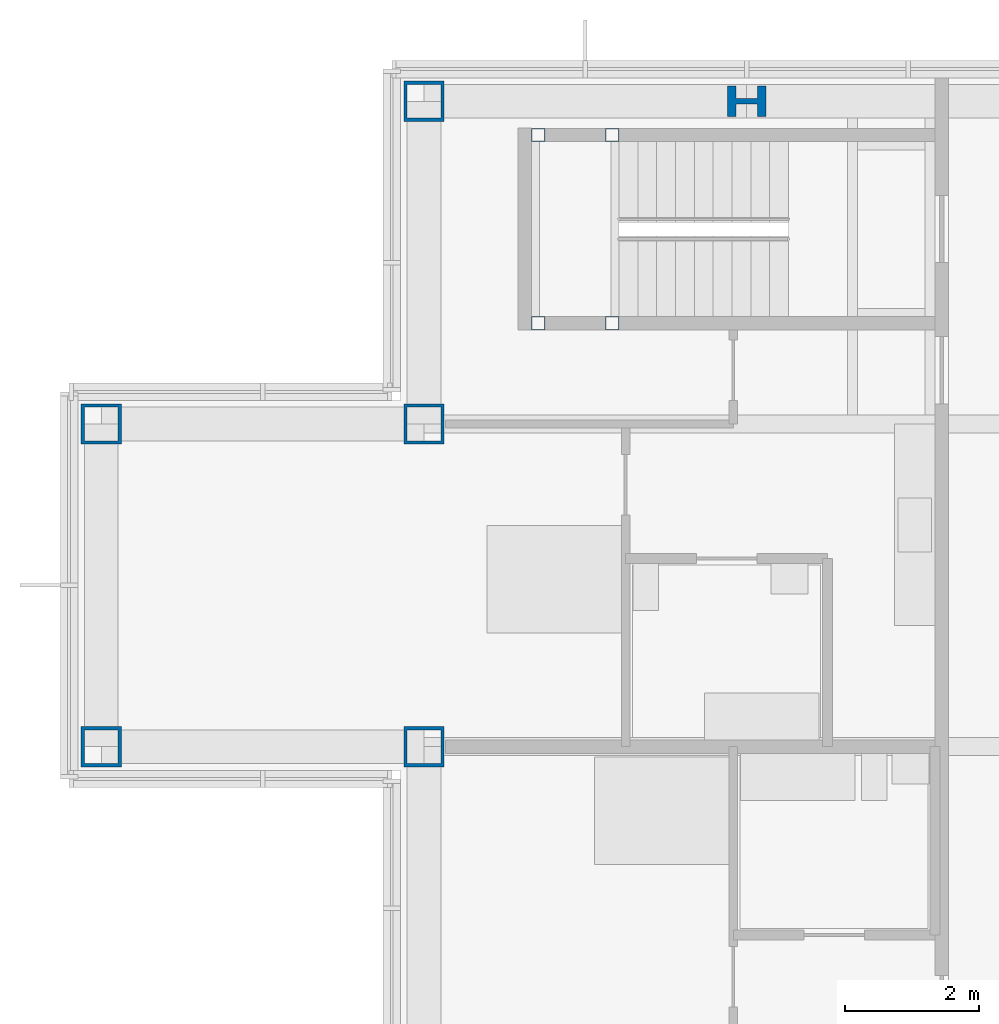
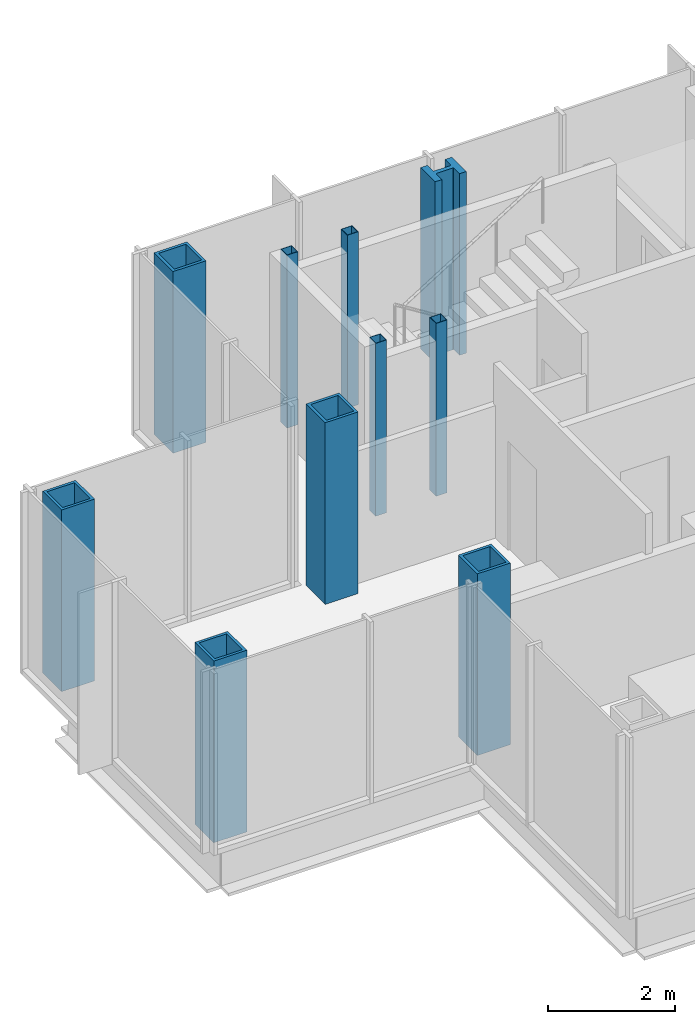
# One storey, part 3 of 15: 10 columns.
"""IFC4 building model written with IfcOpenShell, lengths in metres."""

from ifc_helpers import new_model, si_unit, direction, frame, origin, origin_2d, place, context, subcontext, project, spatial, hollow_rectangle, i_section, extrude, material, material_profile, profile_set, type_object, element, save


model = new_model("IFC4")

# Units and contexts
model_context = context("Model", 3, precision=1e-05, world=origin(), true_north=direction((0.0, 1.0)))
body_context = subcontext(model_context, "Body", "Model", "MODEL_VIEW")
ifc_project = project(units=[si_unit("LENGTHUNIT", "METRE"), si_unit("AREAUNIT", "SQUARE_METRE"), si_unit("VOLUMEUNIT", "CUBIC_METRE"), si_unit("PLANEANGLEUNIT", "RADIAN"), si_unit("MASSUNIT", "GRAM", prefix="KILO")], contexts=[model_context])

# Site, building, storey
site_placement = place(None, origin())
site = spatial("IfcSite", under=ifc_project, at=site_placement, CompositionType="ELEMENT")
building_placement = place(site_placement, origin())
building = spatial("IfcBuilding", under=site, at=building_placement, Name="Kvirike Care Tower", CompositionType="ELEMENT")
storey_placement = place(building_placement, frame((0.0, 0.0, 208.5)))
storey = spatial("IfcBuildingStorey", under=building, at=storey_placement, Name="L57", CompositionType="ELEMENT", Elevation=208.5)

# Columns
ifc_material_1 = material(Name="Steel S460", Category="steel")
ifc_material_profile_1 = material_profile(ifc_material_1, hollow_rectangle(XDim=0.60009765625, YDim=0.60009765625, WallThickness=0.050048828125, at=origin_2d()), Name="BX 600x600x50")
ifc_profile_set_1 = profile_set([ifc_material_profile_1], Name="Steel S460")
column_type_1 = type_object("IfcColumnType", Name="COLUMN BX 600x600x50", PredefinedType="COLUMN", material=ifc_profile_set_1)
for number, where, z_axis, x_axis, name in (
    (1, (0.0, 33.60009765625, 0.0), (0.0, 0.0, 1.0), (0.0, 1.0, 0.0), "Column H3 L57"),
    (2, (0.0, 38.39990234375, 0.0), (0.0, 0.0, 1.0), (0.0, 1.0, 0.0), "Column J3 L57"),
    (3, (4.800048828125, 33.60009765625, 0.0), (0.0, 0.0, 1.0), (0.0, 1.0, 0.0), "Column H4 L57"),
    (4, (4.800048828125, 38.39990234375, 0.0), (0.0, 0.0, 1.0), (0.0, 1.0, 0.0), "Column J4 L57"),
    (5, (4.800048828125, 43.199951171875, 0.0), (0.0, 0.0, 1.0), (0.0, 1.0, 0.0), "Column K4 L57"),
):
    element("IfcColumn", number, at=place(storey_placement, frame(where, z_axis=z_axis, x_axis=x_axis)), inside=storey, type_object=column_type_1, Name=name, PredefinedType="COLUMN", context=body_context, shape_type="SweptSolid", body=[
        extrude(hollow_rectangle(XDim=0.60009765625, YDim=0.60009765625, WallThickness=0.050048828125, at=origin_2d()), origin(), (0.0, 0.0, 1.0), 3.5),
    ])
ifc_material_2 = material(Name="Steel S460", Category="steel")
ifc_material_profile_2 = material_profile(ifc_material_2, i_section(OverallWidth=0.4541015625, OverallDepth=0.569091796875, WebThickness=0.077880859375, FlangeThickness=0.125, FilletRadius=0.014892578125, at=origin_2d()), Name="HD 400x1086")
ifc_profile_set_2 = profile_set([ifc_material_profile_2], Name="Steel S460")
column_type_2 = type_object("IfcColumnType", Name="COLUMN HD 400x1086", PredefinedType="COLUMN", material=ifc_profile_set_2)
column_placement = place(storey_placement, frame((9.60009765625, 43.199951171875, 0.0), z_axis=(0.0, 0.0, 1.0), x_axis=(0.0, 1.0, 0.0)))
element("IfcColumn", 6, at=column_placement, inside=storey, type_object=column_type_2, Name="Column K5 L57", PredefinedType="COLUMN", context=body_context, shape_type="SweptSolid", body=[
    extrude(i_section(OverallWidth=0.4541015625, OverallDepth=0.569091796875, WebThickness=0.077880859375, FlangeThickness=0.125, FilletRadius=0.014892578125, at=origin_2d()), origin(), (0.0, 0.0, 1.0), 3.5),
])
ifc_material_3 = material(Name="Steel S460", Category="steel")
ifc_material_profile_3 = material_profile(ifc_material_3, hollow_rectangle(XDim=0.199951171875, YDim=0.199951171875, WallThickness=0.008056640625, at=origin_2d()), Name="SHS 200x200x8")
ifc_profile_set_3 = profile_set([ifc_material_profile_3], Name="Steel S460")
column_type_3 = type_object("IfcColumnType", Name="STAIR POST SHS 200x200x8", PredefinedType="COLUMN", material=ifc_profile_set_3)
for number, where, z_axis, x_axis, name in (
    (7, (6.5, 42.699951171875, 0.0), (0.0, 0.0, 1.0), (1.0, 0.0, 0.0), "Stair 1 post 1 L57"),
    (8, (6.5, 39.89990234375, 0.0), (0.0, 0.0, 1.0), (1.0, 0.0, 0.0), "Stair 1 post 2 L57"),
    (9, (7.60009765625, 42.699951171875, 0.0), (0.0, 0.0, 1.0), (1.0, 0.0, 0.0), "Stair 1 post 3 L57"),
    (10, (7.60009765625, 39.89990234375, 0.0), (0.0, 0.0, 1.0), (1.0, 0.0, 0.0), "Stair 1 post 4 L57"),
):
    element("IfcColumn", number, at=place(storey_placement, frame(where, z_axis=z_axis, x_axis=x_axis)), inside=storey, type_object=column_type_3, Name=name, PredefinedType="COLUMN", context=body_context, shape_type="SweptSolid", body=[
        extrude(hollow_rectangle(XDim=0.199951171875, YDim=0.199951171875, WallThickness=0.008056640625, at=origin_2d()), origin(), (0.0, 0.0, 1.0), 3.330078125),
    ])

save(model, "model.ifc")
